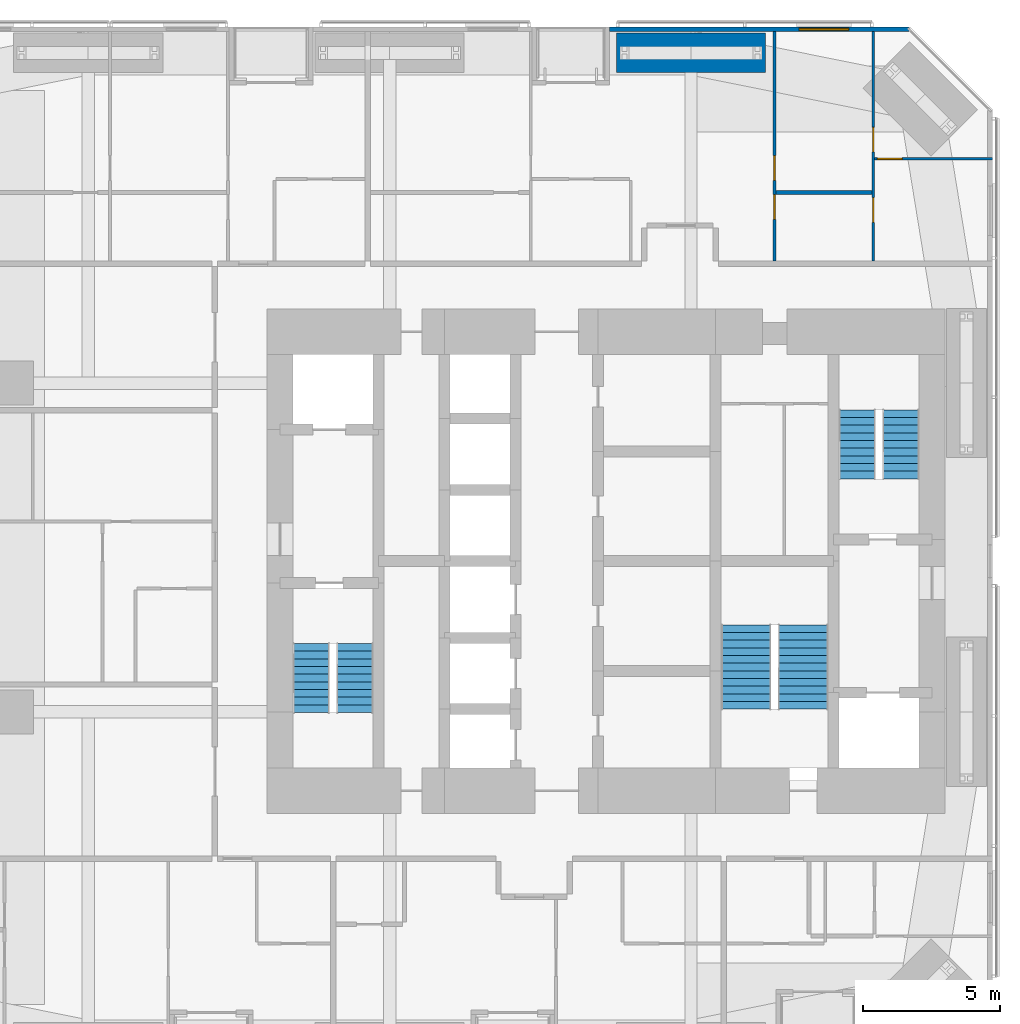
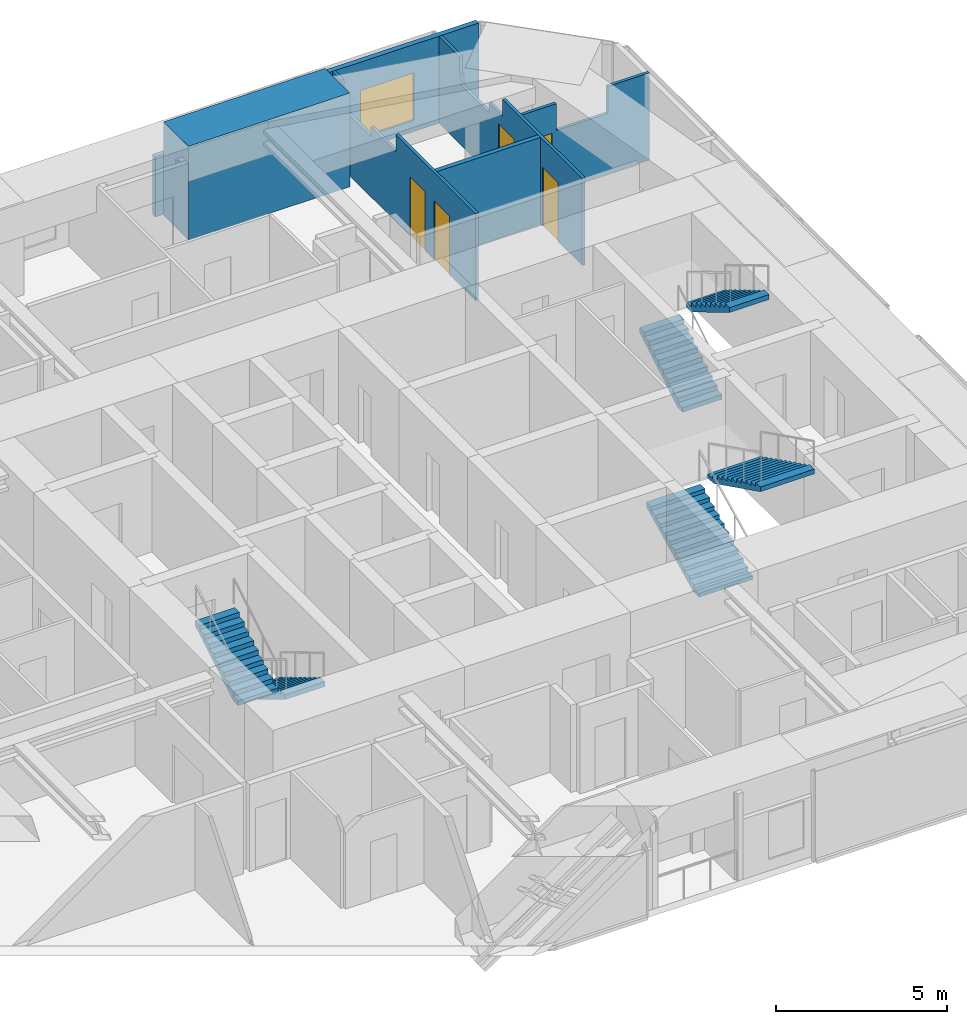
# One storey, part 22 of 23: 6 stair flights, 6 walls, 5 doors, 1 window, 6 openings, 3 elements without a shape of their own.
"""IFC4 building model written with IfcOpenShell, lengths in metres."""

from ifc_helpers import new_model, si_unit, direction, frame, frame_2d, origin, place, context, subcontext, project, spatial, polyline, rectangle, outline, extrude, material, layer, layer_set, constituent, constituent_set, type_object, element, fill, aggregate, save


model = new_model("IFC4")

# Units and contexts
model_context = context("Model", 3, precision=1e-05, world=origin(), true_north=direction((0.0, 1.0)))
body_context = subcontext(model_context, "Body", "Model", "MODEL_VIEW")
ifc_project = project(units=[si_unit("LENGTHUNIT", "METRE"), si_unit("AREAUNIT", "SQUARE_METRE"), si_unit("VOLUMEUNIT", "CUBIC_METRE"), si_unit("PLANEANGLEUNIT", "RADIAN"), si_unit("MASSUNIT", "GRAM", prefix="KILO")], contexts=[model_context])

# Site, building, storey
site_placement = place(None, origin())
site = spatial("IfcSite", under=ifc_project, at=site_placement, CompositionType="ELEMENT")
building_placement = place(site_placement, origin())
building = spatial("IfcBuilding", under=site, at=building_placement, Name="Jalousie Tower", CompositionType="ELEMENT")
storey_placement = place(building_placement, frame((0.0, 0.0, 34.39990234375)))
storey = spatial("IfcBuildingStorey", under=building, at=storey_placement, Name="L08", CompositionType="ELEMENT", Elevation=34.39990234375)

# Wall
ifc_material_1 = material(Name="Concrete block ASTM C90", Category="concrete")
ifc_constituent_1 = constituent(ifc_material_1, Name="Body")
ifc_material_2 = material(Name="Render")
ifc_constituent_2 = constituent(ifc_material_2, Name="Finish")
ifc_constituent_set_1 = constituent_set(constituents=[ifc_constituent_1, ifc_constituent_2])
wall_type_1 = type_object("IfcWallType", Name="BATHROOM WALL 150", PredefinedType="PLUMBINGWALL", material=ifc_constituent_set_1)
wall_1_placement = place(storey_placement, frame((38.10009765625, 31.949951171875, 0.0), z_axis=(0.0, 0.0, 1.0), x_axis=(1.0, 0.0, 0.0)))
element("IfcWall", 1, at=wall_1_placement, inside=storey, type_object=wall_type_1, Name="Bathroom Wall 150 L08", PredefinedType="PLUMBINGWALL", context=body_context, shape_type="SweptSolid", body=[
    extrude(rectangle(XDim=3.5, YDim=0.14990234375, at=frame_2d((1.75, 0.0))), origin(), (0.0, 0.0, 1.0), 3.110107421875),
])

# Wall, opening, window
ifc_material_3 = material(Name="Concrete f'c 40 MPa", Category="concrete")
ifc_constituent_3 = constituent(ifc_material_3, Name="Body")
ifc_material_4 = material(Name="Render, pastel coral")
ifc_constituent_4 = constituent(ifc_material_4, Name="Finish")
ifc_constituent_set_2 = constituent_set(constituents=[ifc_constituent_3, ifc_constituent_4])
wall_type_2 = type_object("IfcWallType", Name="EXTERNAL WALL 175 CORAL RENDER", PredefinedType="SOLIDWALL", material=ifc_constituent_set_2)
wall_2_placement = place(storey_placement, frame((42.94873046875, 37.91259765625, 0.0), z_axis=(0.0, 0.0, 1.0), x_axis=(-1.0, 0.0, 0.0)))
wall_2 = element("IfcWall", 2, at=wall_2_placement, inside=storey, type_object=wall_type_2, Name="External Wall 175 Coral Render L08", PredefinedType="SOLIDWALL", context=body_context, shape_type="SweptSolid", body=[
    extrude(outline(polyline([(0.0, 0.0), (10.923828125, 0.0), (10.923583984375, 2.150146484375), (7.94873046875, 2.150146484375), (7.94873046875, 3.110107421875), (7.79296875, 3.110107421875), (7.79296875, 2.150146484375), (7.74462890625, 2.150146484375), (7.74462890625, 3.110107421875), (0.0, 3.110107421875), (0.0, 0.0)])), frame((0.0, 0.08740234375, 0.0), z_axis=(0.0, -1.0, 0.0), x_axis=(1.0, 0.0, 0.0)), (0.0, 0.0, 1.0), 0.175048828125),
])
opening_1_placement = place(wall_2_placement, frame((2.19873046875, 0.0, 0.39990234375)))
opening_1 = element("IfcOpeningElement", 3, at=opening_1_placement, cuts=wall_2, Name="Opening W-BED170", PredefinedType="OPENING", context=body_context, shape_type="SweptSolid", body=[
    extrude(rectangle(XDim=1.800048828125, YDim=1.699951171875, at=frame_2d((0.89990234375, 0.85009765625))), frame((0.0, 0.097412109375, 0.0), z_axis=(0.0, -1.0, 0.0), x_axis=(1.0, 0.0, 0.0)), (0.0, 0.0, 1.0), 0.195068359375),
])
ifc_material_5 = material(Name="Aluminium frame, impact-rated glazing", Category="aluminium")
window_type = type_object("IfcWindowType", Name="WINDOW BED 1800x1700", PartitioningType="SINGLE_PANEL", PredefinedType="WINDOW", material=ifc_material_5)
window_placement = place(opening_1_placement, origin())
window = element("IfcWindow", 4, at=window_placement, inside=storey, type_object=window_type, Name="Apartment 0805 bedroom 2 window", OverallHeight=1.699951171875, OverallWidth=1.800048828125, PartitioningType="SINGLE_PANEL", PredefinedType="WINDOW", context=body_context, shape_type="SweptSolid", body=[
    extrude(rectangle(XDim=1.800048828125, YDim=1.699951171875, at=frame_2d((0.89990234375, 0.85009765625))), frame((0.0, 0.030029296875, 0.0), z_axis=(0.0, -1.0, 0.0), x_axis=(1.0, 0.0, 0.0)), (0.0, 0.0, 1.0), 0.06005859375),
])
fill(opening_1, window)

# Wall, openings, doors
ifc_material_6 = material(Name="Gypsum board", Category="gypsum")
ifc_constituent_5 = constituent(ifc_material_6, Name="Body")
ifc_material_7 = material(Name="Light-gauge steel studs ASTM A653 SS Grade 33", Category="steel")
ifc_constituent_6 = constituent(ifc_material_7, Name="Framing")
ifc_constituent_set_3 = constituent_set(constituents=[ifc_constituent_5, ifc_constituent_6])
wall_type_3 = type_object("IfcWallType", Name="PARTITION 100", PredefinedType="PARTITIONING", material=ifc_constituent_set_3)
wall_3_placement = place(storey_placement, frame((38.050048828125, 37.824951171875, 0.0), z_axis=(0.0, 0.0, 1.0), x_axis=(0.0, -1.0, 0.0)))
wall_3 = element("IfcWall", 5, at=wall_3_placement, inside=storey, type_object=wall_type_3, Name="Partition 100 L08", PredefinedType="PARTITIONING", context=body_context, shape_type="SweptSolid", body=[
    extrude(outline(polyline([(0.0, 0.0), (8.375, 0.0), (8.375, 3.110107421875), (3.71630859375, 3.110107421875), (3.71630859375, 2.510009765625), (2.264892578125, 2.510009765625), (2.264892578125, 2.150146484375), (0.510498046875, 2.150146484375), (0.510498046875, 3.110107421875), (0.0, 3.110107421875), (0.0, 0.0)])), frame((0.0, 0.050048828125, 0.0), z_axis=(0.0, -1.0, 0.0), x_axis=(1.0, 0.0, 0.0)), (0.0, 0.0, 1.0), 0.10009765625),
])
opening_2_placement = place(wall_3_placement, frame((4.52490234375, 0.0, 0.0)))
opening_2 = element("IfcOpeningElement", 6, at=opening_2_placement, cuts=wall_3, Name="Opening D2", PredefinedType="OPENING", context=body_context, shape_type="SweptSolid", body=[
    extrude(rectangle(XDim=0.89990234375, YDim=2.10009765625, at=frame_2d((0.449951171875, 1.050048828125))), frame((0.0, 0.06005859375, 0.0), z_axis=(0.0, -1.0, 0.0), x_axis=(1.0, 0.0, 0.0)), (0.0, 0.0, 1.0), 0.1201171875),
])
opening_3_placement = place(wall_3_placement, frame((5.949951171875, 0.0, 0.0)))
opening_3 = element("IfcOpeningElement", 7, at=opening_3_placement, cuts=wall_3, Name="Opening D7", PredefinedType="OPENING", context=body_context, shape_type="SweptSolid", body=[
    extrude(rectangle(XDim=0.89990234375, YDim=2.10009765625, at=frame_2d((0.449951171875, 1.050048828125))), frame((0.0, 0.06005859375, 0.0), z_axis=(0.0, -1.0, 0.0), x_axis=(1.0, 0.0, 0.0)), (0.0, 0.0, 1.0), 0.1201171875),
])
ifc_material_8 = material(Name="Timber door", Category="wood")
door_type_1 = type_object("IfcDoorType", Name="BEDROOM DOOR 900", OperationType="SINGLE_SWING_LEFT", PredefinedType="DOOR", material=ifc_material_8)
door_1_placement = place(opening_2_placement, origin())
door_1 = element("IfcDoor", 8, at=door_1_placement, inside=storey, type_object=door_type_1, Name="Apartment 0805 bedroom 2 door", OperationType="SINGLE_SWING_RIGHT", OverallHeight=2.10009765625, OverallWidth=0.89990234375, PredefinedType="DOOR", context=body_context, shape_type="SweptSolid", body=[
    extrude(rectangle(XDim=0.89990234375, YDim=2.10009765625, at=frame_2d((0.449951171875, 1.050048828125))), frame((0.0, 0.02490234375, 0.0), z_axis=(0.0, -1.0, 0.0), x_axis=(1.0, 0.0, 0.0)), (0.0, 0.0, 1.0), 0.050048828125),
])
fill(opening_2, door_1)
ifc_material_9 = material(Name="Timber door", Category="wood")
door_type_2 = type_object("IfcDoorType", Name="INTERNAL DOOR 900", OperationType="SINGLE_SWING_LEFT", PredefinedType="DOOR", material=ifc_material_9)
door_2_placement = place(opening_3_placement, origin())
door_2 = element("IfcDoor", 9, at=door_2_placement, inside=storey, type_object=door_type_2, Name="Apartment 0805 bathroom door", OperationType="SINGLE_SWING_LEFT", OverallHeight=2.10009765625, OverallWidth=0.89990234375, PredefinedType="DOOR", context=body_context, shape_type="SweptSolid", body=[
    extrude(rectangle(XDim=0.89990234375, YDim=2.10009765625, at=frame_2d((0.449951171875, 1.050048828125))), frame((0.0, 0.02490234375, 0.0), z_axis=(0.0, -1.0, 0.0), x_axis=(1.0, 0.0, 0.0)), (0.0, 0.0, 1.0), 0.050048828125),
])
fill(opening_3, door_2)

wall_4_placement = place(storey_placement, frame((41.64990234375, 37.824951171875, 0.0), z_axis=(0.0, 0.0, 1.0), x_axis=(0.0, -1.0, 0.0)))
wall_4 = element("IfcWall", 10, at=wall_4_placement, inside=storey, type_object=wall_type_3, Name="Partition 100 L08", PredefinedType="PARTITIONING", context=body_context, shape_type="SweptSolid", body=[
    extrude(outline(polyline([(0.0, 0.0), (8.375, 0.0), (8.375, 3.110107421875), (3.71630859375, 3.110107421875), (3.71630859375, 2.510009765625), (2.93701171875, 2.510009765625), (2.93701171875, 2.150146484375), (1.28515625, 2.150146484375), (1.28515625, 2.510009765625), (1.1962890625, 2.510009765625), (1.1962890625, 3.110107421875), (0.0, 3.110107421875), (0.0, 0.0)])), frame((0.0, 0.050048828125, 0.0), z_axis=(0.0, -1.0, 0.0), x_axis=(1.0, 0.0, 0.0)), (0.0, 0.0, 1.0), 0.10009765625),
])
opening_4_placement = place(wall_4_placement, frame((3.492431640625, 0.0, 0.0)))
opening_4 = element("IfcOpeningElement", 11, at=opening_4_placement, cuts=wall_4, Name="Opening D2", PredefinedType="OPENING", context=body_context, shape_type="SweptSolid", body=[
    extrude(rectangle(XDim=0.89990234375, YDim=2.10009765625, at=frame_2d((0.449951171875, 1.050048828125))), frame((0.0, 0.06005859375, 0.0), z_axis=(0.0, -1.0, 0.0), x_axis=(1.0, 0.0, 0.0)), (0.0, 0.0, 1.0), 0.1201171875),
])
opening_5_placement = place(wall_4_placement, frame((6.05859375, 0.0, 0.0)))
opening_5 = element("IfcOpeningElement", 12, at=opening_5_placement, cuts=wall_4, Name="Opening D3", PredefinedType="OPENING", context=body_context, shape_type="SweptSolid", body=[
    extrude(rectangle(XDim=0.89990234375, YDim=2.10009765625, at=frame_2d((0.449951171875, 1.050048828125))), frame((0.0, 0.06005859375, 0.0), z_axis=(0.0, -1.0, 0.0), x_axis=(1.0, 0.0, 0.0)), (0.0, 0.0, 1.0), 0.1201171875),
])
ifc_material_10 = material(Name="Timber door", Category="wood")
door_type_3 = type_object("IfcDoorType", Name="BATHROOM DOOR 900", OperationType="SINGLE_SWING_LEFT", PredefinedType="DOOR", material=ifc_material_10)
door_3_placement = place(opening_5_placement, frame((0.89990234375, 0.0, 0.0), z_axis=(0.0, 0.0, 1.0), x_axis=(-1.0, 0.0, 0.0)))
door_3 = element("IfcDoor", 13, at=door_3_placement, inside=storey, type_object=door_type_3, Name="Apartment 0805 bedroom 3 bathroom door", OperationType="SINGLE_SWING_RIGHT", OverallHeight=2.10009765625, OverallWidth=0.89990234375, PredefinedType="DOOR", context=body_context, shape_type="SweptSolid", body=[
    extrude(rectangle(XDim=0.89990234375, YDim=2.10009765625, at=frame_2d((0.449951171875, 1.050048828125))), frame((0.0, 0.02490234375, 0.0), z_axis=(0.0, -1.0, 0.0), x_axis=(1.0, 0.0, 0.0)), (0.0, 0.0, 1.0), 0.050048828125),
])
fill(opening_5, door_3)
door_4_placement = place(opening_4_placement, frame((0.89990234375, 0.0, 0.0), z_axis=(0.0, 0.0, 1.0), x_axis=(-1.0, 0.0, 0.0)))
door_4 = element("IfcDoor", 14, at=door_4_placement, inside=storey, type_object=door_type_1, Name="Apartment 0805 bedroom 3 door", OperationType="SINGLE_SWING_LEFT", OverallHeight=2.10009765625, OverallWidth=0.89990234375, PredefinedType="DOOR", context=body_context, shape_type="SweptSolid", body=[
    extrude(rectangle(XDim=0.89990234375, YDim=2.10009765625, at=frame_2d((0.449951171875, 1.050048828125))), frame((0.0, 0.02490234375, 0.0), z_axis=(0.0, -1.0, 0.0), x_axis=(1.0, 0.0, 0.0)), (0.0, 0.0, 1.0), 0.050048828125),
])
fill(opening_4, door_4)

# Wall, opening, door
wall_5_placement = place(storey_placement, frame((41.699951171875, 33.1826171875, 0.0), z_axis=(0.0, 0.0, 1.0), x_axis=(1.0, 0.0, 0.0)))
wall_5 = element("IfcWall", 15, at=wall_5_placement, inside=storey, type_object=wall_type_3, Name="Partition 100 L08", PredefinedType="PARTITIONING", context=body_context, shape_type="SweptSolid", body=[
    extrude(outline(polyline([(0.0, 0.0), (4.300048828125, 0.0), (4.300048828125, 3.110107421875), (2.894287109375, 3.110107421875), (2.894287109375, 2.150146484375), (1.15185546875, 2.150146484375), (1.15185546875, 3.110107421875), (0.0, 3.110107421875), (0.0, 0.0)])), frame((0.0, 0.050048828125, 0.0), z_axis=(0.0, -1.0, 0.0), x_axis=(1.0, 0.0, 0.0)), (0.0, 0.0, 1.0), 0.10009765625),
])
opening_6_placement = place(wall_5_placement, frame((0.10009765625, 0.0, 0.0)))
opening_6 = element("IfcOpeningElement", 16, at=opening_6_placement, cuts=wall_5, Name="Opening D7", PredefinedType="OPENING", context=body_context, shape_type="SweptSolid", body=[
    extrude(rectangle(XDim=0.89990234375, YDim=2.10009765625, at=frame_2d((0.449951171875, 1.050048828125))), frame((0.0, 0.06005859375, 0.0), z_axis=(0.0, -1.0, 0.0), x_axis=(1.0, 0.0, 0.0)), (0.0, 0.0, 1.0), 0.1201171875),
])
door_5_placement = place(opening_6_placement, frame((0.89990234375, 0.0, 0.0), z_axis=(0.0, 0.0, 1.0), x_axis=(-1.0, 0.0, 0.0)))
door_5 = element("IfcDoor", 17, at=door_5_placement, inside=storey, type_object=door_type_2, Name="Apartment 0805 bedroom 3 dressing hall door", OperationType="SINGLE_SWING_RIGHT", OverallHeight=2.10009765625, OverallWidth=0.89990234375, PredefinedType="DOOR", context=body_context, shape_type="SweptSolid", body=[
    extrude(rectangle(XDim=0.89990234375, YDim=2.10009765625, at=frame_2d((0.449951171875, 1.050048828125))), frame((0.0, 0.02490234375, 0.0), z_axis=(0.0, -1.0, 0.0), x_axis=(1.0, 0.0, 0.0)), (0.0, 0.0, 1.0), 0.050048828125),
])
fill(opening_6, door_5)

# Wall
ifc_material_11 = material(Name="Concrete f'c 120 MPa", Category="concrete")
ifc_layer = layer(ifc_material_11, 1.449951171875)
ifc_layer_set = layer_set([ifc_layer], Name="Concrete f'c 120 MPa")
wall_type_4 = type_object("IfcWallType", Name="RC WALL PIER 1450", PredefinedType="SHEAR", material=ifc_layer_set)
wall_6_placement = place(storey_placement, frame((32.27490234375, 37.050048828125, 0.0), z_axis=(0.0, 0.0, 1.0), x_axis=(1.0, 0.0, 0.0)))
element("IfcWall", 18, at=wall_6_placement, inside=storey, type_object=wall_type_4, Name="Wall pier 09 L08", PredefinedType="SHEAR", context=body_context, shape_type="SweptSolid", body=[
    extrude(rectangle(XDim=5.4501953125, YDim=1.449951171875, at=frame_2d((2.72509765625, 0.0))), origin(), (0.0, 0.0, 1.0), 3.35009765625),
])

# Stair, stair flights
ifc_material_12 = material(Name="Concrete f'c 40 MPa", Category="concrete")
stair_type = type_object("IfcStairType", Name="EXIT STAIR", PredefinedType="HALF_TURN_STAIR", material=ifc_material_12)
stair_1_placement = place(storey_placement, origin())
stair_1 = element("IfcStair", 19, at=stair_1_placement, inside=storey, type_object=stair_type, Name="Exit stair A L08", PredefinedType="HALF_TURN_STAIR")
ifc_material_13 = material(Name="Concrete f'c 40 MPa", Category="concrete")
stair_flight_type = type_object("IfcStairFlightType", Name="STAIR FLIGHT", PredefinedType="STRAIGHT", material=ifc_material_13)
stair_flight_1_placement = place(storey_placement, frame((22.731201171875, 15.49755859375, 0.0), z_axis=(0.0, 0.0, 1.0), x_axis=(0.0, -1.0, 0.0)))
stair_flight_1 = element("IfcStairFlight", 20, at=stair_flight_1_placement, type_object=stair_flight_type, Name="ST-A flight 1", NumberOfRisers=10, NumberOfTreads=9, PredefinedType="STRAIGHT", RiserHeight=0.1675, TreadLength=0.28, context=body_context, shape_type="SweptSolid", body=[
    extrude(outline(polyline([(0.0, 0.0), (0.0, 0.16748046875), (0.280029296875, 0.16748046875), (0.280029296875, 0.3349609375), (0.56005859375, 0.3349609375), (0.56005859375, 0.50244140625), (0.840087890625, 0.50244140625), (0.840087890625, 0.669921875), (1.1201171875, 0.669921875), (1.1201171875, 0.83740234375), (1.39990234375, 0.83740234375), (1.39990234375, 1.0048828125), (1.679931640625, 1.0048828125), (1.679931640625, 1.172607421875), (1.9599609375, 1.172607421875), (1.9599609375, 1.340087890625), (2.239990234375, 1.340087890625), (2.239990234375, 1.507568359375), (2.52001953125, 1.507568359375), (2.52001953125, 1.675048828125), (2.52001953125, 1.332763671875), (0.2919921875, 0.0), (0.0, 0.0)])), frame((0.0, 0.668701171875, 0.0), z_axis=(0.0, -1.0, 0.0), x_axis=(1.0, 0.0, 0.0)), (0.0, 0.0, 1.0), 1.33740234375),
])
stair_flight_2_placement = place(storey_placement, frame((21.143798828125, 12.9775390625, 1.675048828125), z_axis=(0.0, 0.0, 1.0), x_axis=(0.0, 1.0, 0.0)))
stair_flight_2 = element("IfcStairFlight", 21, at=stair_flight_2_placement, type_object=stair_flight_type, Name="ST-A flight 2", NumberOfRisers=10, NumberOfTreads=9, PredefinedType="STRAIGHT", RiserHeight=0.1675, TreadLength=0.28, context=body_context, shape_type="SweptSolid", body=[
    extrude(outline(polyline([(0.0, 0.0), (0.0, 0.16748046875), (0.280029296875, 0.16748046875), (0.280029296875, 0.3349609375), (0.56005859375, 0.3349609375), (0.56005859375, 0.50244140625), (0.840087890625, 0.50244140625), (0.840087890625, 0.669921875), (1.1201171875, 0.669921875), (1.1201171875, 0.83740234375), (1.39990234375, 0.83740234375), (1.39990234375, 1.0048828125), (1.679931640625, 1.0048828125), (1.679931640625, 1.172607421875), (1.9599609375, 1.172607421875), (1.9599609375, 1.340087890625), (2.239990234375, 1.340087890625), (2.239990234375, 1.507568359375), (2.52001953125, 1.507568359375), (2.52001953125, 1.675048828125), (2.52001953125, 1.332763671875), (0.2919921875, 0.0), (0.0, 0.0)])), frame((0.0, 0.668701171875, 0.0), z_axis=(0.0, -1.0, 0.0), x_axis=(1.0, 0.0, 0.0)), (0.0, 0.0, 1.0), 1.33740234375),
])
aggregate(stair_1, [stair_flight_1, stair_flight_2])

stair_2_placement = place(storey_placement, origin())
stair_2 = element("IfcStair", 22, at=stair_2_placement, inside=storey, type_object=stair_type, Name="Exit stair B L08", PredefinedType="HALF_TURN_STAIR")
stair_flight_3_placement = place(storey_placement, frame((41.06884765625, 21.50244140625, 0.0), z_axis=(0.0, 0.0, 1.0), x_axis=(0.0, 1.0, 0.0)))
stair_flight_3 = element("IfcStairFlight", 23, at=stair_flight_3_placement, type_object=stair_flight_type, Name="ST-B flight 1", NumberOfRisers=10, NumberOfTreads=9, PredefinedType="STRAIGHT", RiserHeight=0.1675, TreadLength=0.28, context=body_context, shape_type="SweptSolid", body=[
    extrude(outline(polyline([(0.0, 0.0), (0.0, 0.16748046875), (0.280029296875, 0.16748046875), (0.280029296875, 0.3349609375), (0.56005859375, 0.3349609375), (0.56005859375, 0.50244140625), (0.840087890625, 0.50244140625), (0.840087890625, 0.669921875), (1.1201171875, 0.669921875), (1.1201171875, 0.83740234375), (1.39990234375, 0.83740234375), (1.39990234375, 1.0048828125), (1.679931640625, 1.0048828125), (1.679931640625, 1.172607421875), (1.9599609375, 1.172607421875), (1.9599609375, 1.340087890625), (2.239990234375, 1.340087890625), (2.239990234375, 1.507568359375), (2.52001953125, 1.507568359375), (2.52001953125, 1.675048828125), (2.52001953125, 1.332763671875), (0.2919921875, 0.0), (0.0, 0.0)])), frame((0.0, 0.668701171875, 0.0), z_axis=(0.0, -1.0, 0.0), x_axis=(1.0, 0.0, 0.0)), (0.0, 0.0, 1.0), 1.33740234375),
])
stair_flight_4_placement = place(storey_placement, frame((42.65625, 24.0224609375, 1.675048828125), z_axis=(0.0, 0.0, 1.0), x_axis=(0.0, -1.0, 0.0)))
stair_flight_4 = element("IfcStairFlight", 24, at=stair_flight_4_placement, type_object=stair_flight_type, Name="ST-B flight 2", NumberOfRisers=10, NumberOfTreads=9, PredefinedType="STRAIGHT", RiserHeight=0.1675, TreadLength=0.28, context=body_context, shape_type="SweptSolid", body=[
    extrude(outline(polyline([(0.0, 0.0), (0.0, 0.16748046875), (0.280029296875, 0.16748046875), (0.280029296875, 0.3349609375), (0.56005859375, 0.3349609375), (0.56005859375, 0.50244140625), (0.840087890625, 0.50244140625), (0.840087890625, 0.669921875), (1.1201171875, 0.669921875), (1.1201171875, 0.83740234375), (1.39990234375, 0.83740234375), (1.39990234375, 1.0048828125), (1.679931640625, 1.0048828125), (1.679931640625, 1.172607421875), (1.9599609375, 1.172607421875), (1.9599609375, 1.340087890625), (2.239990234375, 1.340087890625), (2.239990234375, 1.507568359375), (2.52001953125, 1.507568359375), (2.52001953125, 1.675048828125), (2.52001953125, 1.332763671875), (0.2919921875, 0.0), (0.0, 0.0)])), frame((0.0, 0.668701171875, 0.0), z_axis=(0.0, -1.0, 0.0), x_axis=(1.0, 0.0, 0.0)), (0.0, 0.0, 1.0), 1.33740234375),
])
aggregate(stair_2, [stair_flight_3, stair_flight_4])

stair_3_placement = place(storey_placement, origin())
stair_3 = element("IfcStair", 25, at=stair_3_placement, inside=storey, type_object=stair_type, Name="Exit stair C L08", PredefinedType="HALF_TURN_STAIR")
stair_flight_5_placement = place(storey_placement, frame((37.012451171875, 13.097412109375, 0.0), z_axis=(0.0, 0.0, 1.0), x_axis=(0.0, 1.0, 0.0)))
stair_flight_5 = element("IfcStairFlight", 26, at=stair_flight_5_placement, type_object=stair_flight_type, Name="ST-C flight 1", NumberOfRisers=12, NumberOfTreads=11, PredefinedType="STRAIGHT", RiserHeight=0.139583333, TreadLength=0.28, context=body_context, shape_type="SweptSolid", body=[
    extrude(outline(polyline([(0.0, 0.0), (0.0, 0.1396484375), (0.280029296875, 0.1396484375), (0.280029296875, 0.279052734375), (0.56005859375, 0.279052734375), (0.56005859375, 0.418701171875), (0.840087890625, 0.418701171875), (0.840087890625, 0.558349609375), (1.1201171875, 0.558349609375), (1.1201171875, 0.697998046875), (1.39990234375, 0.697998046875), (1.39990234375, 0.83740234375), (1.679931640625, 0.83740234375), (1.679931640625, 0.97705078125), (1.9599609375, 0.97705078125), (1.9599609375, 1.11669921875), (2.239990234375, 1.11669921875), (2.239990234375, 1.25634765625), (2.52001953125, 1.25634765625), (2.52001953125, 1.395751953125), (2.800048828125, 1.395751953125), (2.800048828125, 1.535400390625), (3.080078125, 1.535400390625), (3.080078125, 1.675048828125), (3.080078125, 1.367919921875), (0.3359375, 0.0), (0.0, 0.0)])), frame((0.0, 0.91259765625, 0.0), z_axis=(0.0, -1.0, 0.0), x_axis=(1.0, 0.0, 0.0)), (0.0, 0.0, 1.0), 1.824951171875),
])
stair_flight_6_placement = place(storey_placement, frame((39.08740234375, 16.177490234375, 1.675048828125), z_axis=(0.0, 0.0, 1.0), x_axis=(0.0, -1.0, 0.0)))
stair_flight_6 = element("IfcStairFlight", 27, at=stair_flight_6_placement, type_object=stair_flight_type, Name="ST-C flight 2", NumberOfRisers=12, NumberOfTreads=11, PredefinedType="STRAIGHT", RiserHeight=0.139583333, TreadLength=0.28, context=body_context, shape_type="SweptSolid", body=[
    extrude(outline(polyline([(0.0, 0.0), (0.0, 0.1396484375), (0.280029296875, 0.1396484375), (0.280029296875, 0.279052734375), (0.56005859375, 0.279052734375), (0.56005859375, 0.418701171875), (0.840087890625, 0.418701171875), (0.840087890625, 0.558349609375), (1.1201171875, 0.558349609375), (1.1201171875, 0.697998046875), (1.39990234375, 0.697998046875), (1.39990234375, 0.83740234375), (1.679931640625, 0.83740234375), (1.679931640625, 0.97705078125), (1.9599609375, 0.97705078125), (1.9599609375, 1.11669921875), (2.239990234375, 1.11669921875), (2.239990234375, 1.25634765625), (2.52001953125, 1.25634765625), (2.52001953125, 1.395751953125), (2.800048828125, 1.395751953125), (2.800048828125, 1.535400390625), (3.080078125, 1.535400390625), (3.080078125, 1.675048828125), (3.080078125, 1.367919921875), (0.3359375, 0.0), (0.0, 0.0)])), frame((0.0, 0.91259765625, 0.0), z_axis=(0.0, -1.0, 0.0), x_axis=(1.0, 0.0, 0.0)), (0.0, 0.0, 1.0), 1.824951171875),
])
aggregate(stair_3, [stair_flight_5, stair_flight_6])

save(model, "model.ifc")
